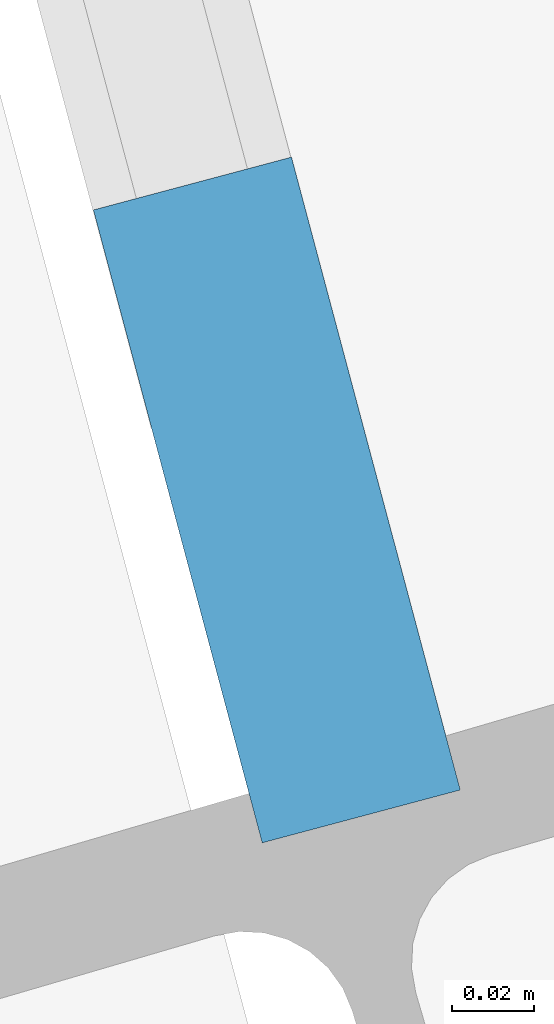
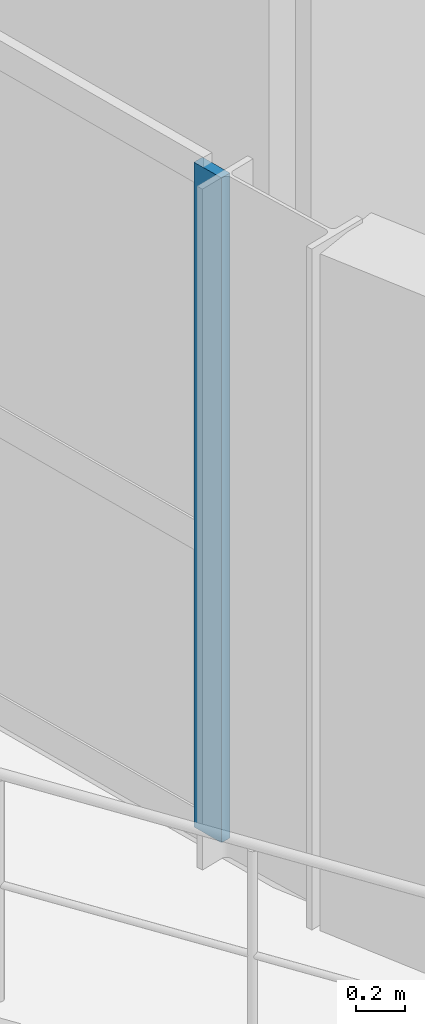
# One storey, part 9 of 40: 1 member, 1 element without a shape of its own.
"""IFC4 building model written with IfcOpenShell, lengths in metres."""

from ifc_helpers import new_model, si_unit, direction, frame, origin, origin_2d, place, context, subcontext, project, spatial, rectangle, extrude, material, material_profile, profile_set, type_object, element, aggregate, save


model = new_model("IFC4")

# Units and contexts
model_context = context("Model", 3, precision=1e-05, world=origin(), true_north=direction((0.0, 1.0)))
body_context = subcontext(model_context, "Body", "Model", "MODEL_VIEW")
ifc_project = project(units=[si_unit("LENGTHUNIT", "METRE"), si_unit("AREAUNIT", "SQUARE_METRE"), si_unit("VOLUMEUNIT", "CUBIC_METRE"), si_unit("PLANEANGLEUNIT", "RADIAN"), si_unit("MASSUNIT", "GRAM", prefix="KILO")], contexts=[model_context])

# Site, building, storey
site_placement = place(None, origin())
site = spatial("IfcSite", under=ifc_project, at=site_placement, CompositionType="ELEMENT")
building_placement = place(site_placement, origin())
building = spatial("IfcBuilding", under=site, at=building_placement, Name="Glasvene Arena", CompositionType="ELEMENT")
storey_placement = place(building_placement, frame((0.0, 0.0, 24.0)))
storey = spatial("IfcBuildingStorey", under=building, at=storey_placement, Name="L05", CompositionType="ELEMENT", Elevation=24.0)

# Curtain wall, member
ifc_material_1 = material(Name="Low-emissivity laminated double glazing", Category="glass")
curtain_wall_type = type_object("IfcCurtainWallType", Name="CW-FAC-L05-637x332", PredefinedType="USERDEFINED", material=ifc_material_1)
curtain_wall_placement = place(storey_placement, frame((44.3525390625, 59.44873046875, 0.0)))
curtain_wall = element("IfcCurtainWall", 1, at=curtain_wall_placement, inside=storey, type_object=curtain_wall_type, Name="Unitised curtain wall CW-F-L05-150-435-625-5", ObjectType="CURTAIN WALL", PredefinedType="USERDEFINED")
ifc_material_2 = material(Name="Anodised architectural aluminium", Category="aluminium")
ifc_material_profile = material_profile(ifc_material_2, rectangle(XDim=0.050048828125, YDim=0.159912109375, at=origin_2d()), Name="ALU MULLION 50x160")
ifc_profile_set = profile_set([ifc_material_profile], Name="Anodised architectural aluminium")
member_type = type_object("IfcMemberType", Name="CW-MUL-150", PredefinedType="MULLION", material=ifc_profile_set)
member_placement = place(storey_placement, frame((44.34619140625, 59.472900390625, 0.06005859375), z_axis=(0.0, 0.0, 1.0), x_axis=(-0.966214613156, -0.257738862657, 0.0)))
member = element("IfcMember", 2, at=member_placement, type_object=member_type, Name="CW-057 mullion 1", PredefinedType="MULLION", context=body_context, shape_type="SweptSolid", body=[
    extrude(rectangle(XDim=0.050048828125, YDim=0.159912109375, at=origin_2d()), origin(), (0.0, 0.0, 1.0), 3.31982421875),
])
aggregate(curtain_wall, [member])

save(model, "model.ifc")
